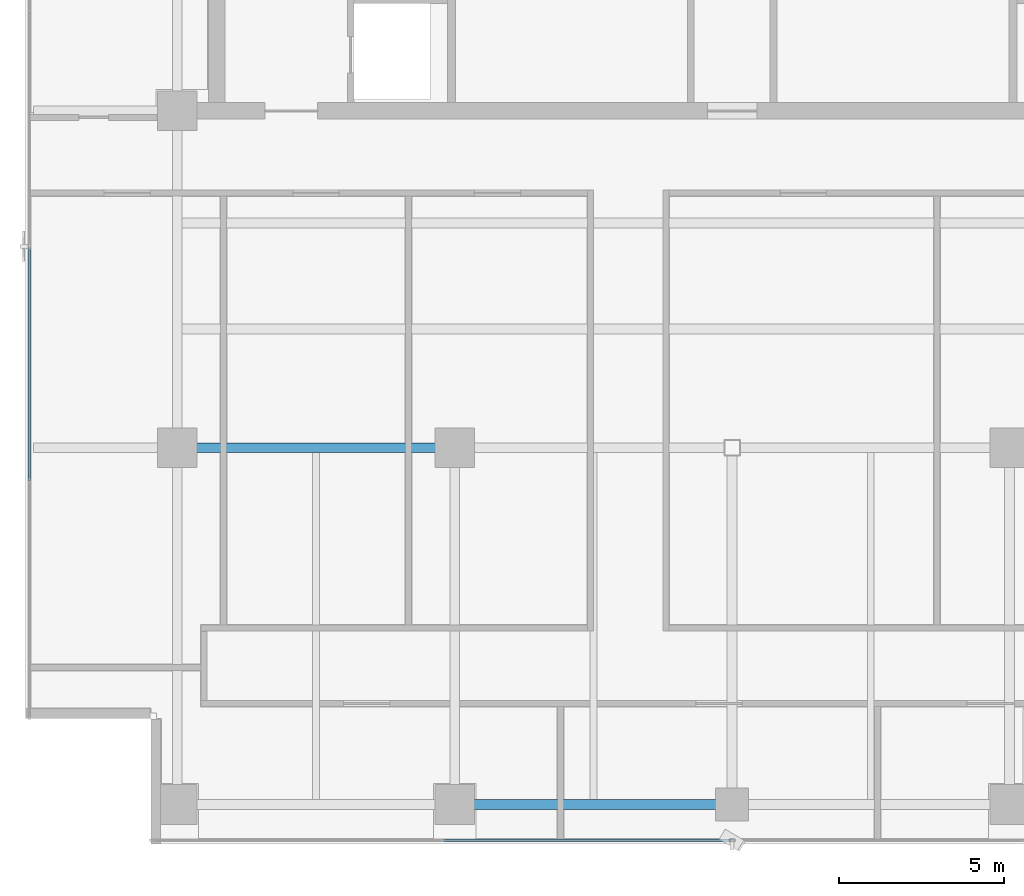
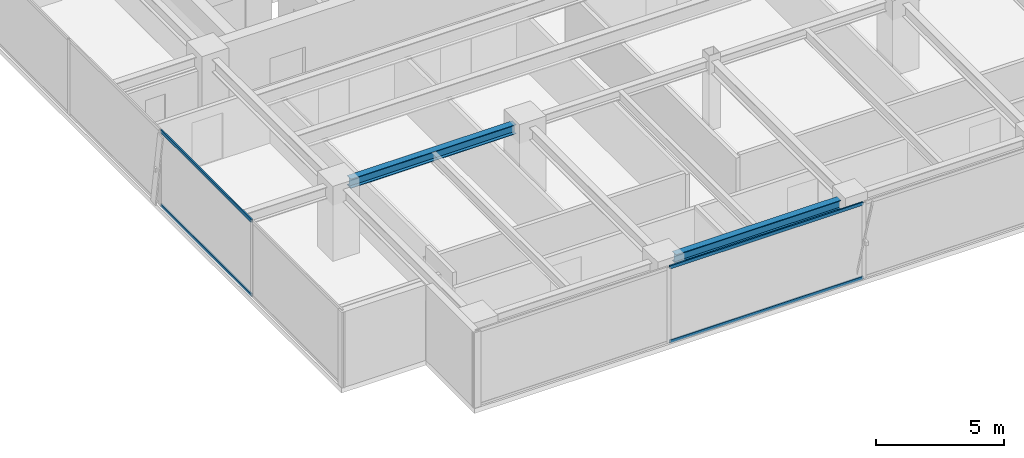
# One storey, part 3 of 21: 4 members, 2 beams, 2 elements without a shape of their own.
"""IFC4 building model written with IfcOpenShell, lengths in metres."""

from ifc_helpers import new_model, si_unit, direction, frame, origin, origin_2d, place, context, subcontext, project, spatial, hollow_rectangle, i_section, extrude, source, transform, mapped, material, layer, layer_set, material_profile, profile_set, type_object, element, aggregate, save


model = new_model("IFC4")

# Units and contexts
model_context = context("Model", 3, precision=1e-05, world=origin(), true_north=direction((0.0, 1.0)))
body_context = subcontext(model_context, "Body", "Model", "MODEL_VIEW")
ifc_project = project(units=[si_unit("LENGTHUNIT", "METRE"), si_unit("AREAUNIT", "SQUARE_METRE"), si_unit("VOLUMEUNIT", "CUBIC_METRE"), si_unit("PLANEANGLEUNIT", "RADIAN"), si_unit("MASSUNIT", "GRAM", prefix="KILO")], contexts=[model_context])

# Site, building, storey
site_placement = place(None, origin())
site = spatial("IfcSite", under=ifc_project, at=site_placement, CompositionType="ELEMENT")
building_placement = place(site_placement, origin())
building = spatial("IfcBuilding", under=site, at=building_placement, Name="Sumidabori Civic Tower", CompositionType="ELEMENT")
storey_placement = place(building_placement, frame((0.0, 0.0, 290.0)))
storey = spatial("IfcBuildingStorey", under=building, at=storey_placement, Name="L76", CompositionType="ELEMENT", Elevation=290.0)

# Beams
ifc_material_1 = material(Name="Steel SN490", Category="steel")
ifc_material_profile_1 = material_profile(ifc_material_1, i_section(OverallWidth=0.300048828125, OverallDepth=0.449951171875, WebThickness=0.013916015625, FlangeThickness=0.02587890625, at=origin_2d()), Name="HE 450 B")
ifc_profile_set_1 = profile_set([ifc_material_profile_1], Name="Steel SN490")
beam_type = type_object("IfcBeamType", Name="BM-GIRD-450", PredefinedType="BEAM", material=ifc_profile_set_1)
shared_shape_1 = source(origin(), body_context, "Body", "SweptSolid", [
    extrude(i_section(OverallWidth=0.300048828125, OverallDepth=0.449951171875, WebThickness=0.013916015625, FlangeThickness=0.02587890625, at=origin_2d()), origin(), (0.0, 0.0, 1.0), 7.440185546875),
])
beam_1_placement = place(storey_placement, frame((-16.320068359375, 0.0, 3.074951171875), z_axis=(1.0, 0.0, 0.0), x_axis=(0.0, 1.0, 0.0)))
element("IfcBeam", 1, at=beam_1_placement, inside=storey, type_object=beam_type, Name="Primary Girder L76 GX-05", PredefinedType="BEAM", context=body_context, shape_type="MappedRepresentation", body=[
    mapped(shared_shape_1, transform((0.0, 0.0, 0.0), x_axis=(1.0, 0.0, 0.0), y_axis=(0.0, 1.0, 0.0), z_axis=(0.0, 0.0, 1.0), scale=1.0)),
])
shared_shape_2 = source(origin(), body_context, "Body", "SweptSolid", [
    extrude(i_section(OverallWidth=0.300048828125, OverallDepth=0.449951171875, WebThickness=0.013916015625, FlangeThickness=0.02587890625, at=origin_2d()), origin(), (0.0, 0.0, 1.0), 7.43994140625),
])
beam_2_placement = place(storey_placement, frame((-7.919921875, -10.800048828125, 3.074951171875), z_axis=(1.0, 0.0, 0.0), x_axis=(0.0, 1.0, 0.0)))
element("IfcBeam", 2, at=beam_2_placement, inside=storey, type_object=beam_type, Name="Primary Girder L76 GX-02", PredefinedType="BEAM", context=body_context, shape_type="MappedRepresentation", body=[
    mapped(shared_shape_2, transform((0.0, 0.0, 0.0), x_axis=(1.0, 0.0, 0.0), y_axis=(0.0, 1.0, 0.0), z_axis=(0.0, 0.0, 1.0), scale=1.0)),
])

# Curtain wall, members
ifc_material_2 = material(Name="Anodised Bronze Aluminium AW-6063-T6", Category="aluminium")
ifc_layer = layer(ifc_material_2, 0.179931640625, Name="Anodised Bronze Aluminium AW-6063-T6")
ifc_layer_set = layer_set([ifc_layer], Name="Anodised Bronze Aluminium AW-6063-T6")
curtain_wall_type = type_object("IfcCurtainWallType", Name="CW-SYS-6", PredefinedType="NOTDEFINED", material=ifc_layer_set)
curtain_wall_1_placement = place(storey_placement, origin())
curtain_wall_1 = element("IfcCurtainWall", 3, at=curtain_wall_1_placement, inside=storey, type_object=curtain_wall_type, Name="Curtain Wall CW:L76:R01", PredefinedType="NOTDEFINED")
ifc_material_profile_2 = material_profile(ifc_material_2, hollow_rectangle(XDim=0.06494140625, YDim=0.14990234375, WallThickness=0.0048828125, at=origin_2d()), Name="ALU TRANSOM 150x65")
ifc_profile_set_2 = profile_set([ifc_material_profile_2], Name="Anodised Bronze Aluminium AW-6063-T6")
member_type = type_object("IfcMemberType", Name="CW-TRN-150", PredefinedType="USERDEFINED", material=ifc_profile_set_2)
shared_shape_3 = source(origin(), body_context, "Body", "SweptSolid", [
    extrude(hollow_rectangle(XDim=0.06494140625, YDim=0.14990234375, WallThickness=0.0048828125, at=origin_2d()), origin(), (0.0, 0.0, 1.0), 8.715087890625),
])
member_1_placement = place(storey_placement, frame((-8.75, -11.8798828125, 0.032470703125), z_axis=(1.0, 0.0, 0.0), x_axis=(0.0, 1.0, 0.0)))
member_1 = element("IfcMember", 4, at=member_1_placement, type_object=member_type, Name="CW-6 transom 2.1", ObjectType="TRANSOM", PredefinedType="USERDEFINED", context=body_context, shape_type="MappedRepresentation", body=[
    mapped(shared_shape_3, transform((0.0, 0.0, 0.0), x_axis=(1.0, 0.0, 0.0), y_axis=(0.0, 1.0, 0.0), z_axis=(0.0, 0.0, 1.0), scale=1.0)),
])
member_2_placement = place(storey_placement, frame((-8.75, -11.8798828125, 3.5673828125), z_axis=(1.0, 0.0, 0.0), x_axis=(0.0, 1.0, 0.0)))
member_2 = element("IfcMember", 5, at=member_2_placement, type_object=member_type, Name="CW-6 transom 2.2", ObjectType="TRANSOM", PredefinedType="USERDEFINED", context=body_context, shape_type="MappedRepresentation", body=[
    mapped(shared_shape_3, transform((0.0, 0.0, 0.0), x_axis=(1.0, 0.0, 0.0), y_axis=(0.0, 1.0, 0.0), z_axis=(0.0, 0.0, 1.0), scale=1.0)),
])
aggregate(curtain_wall_1, [member_1, member_2])

curtain_wall_2_placement = place(storey_placement, origin())
curtain_wall_2 = element("IfcCurtainWall", 6, at=curtain_wall_2_placement, inside=storey, type_object=curtain_wall_type, Name="Curtain Wall CW:L76:R10", PredefinedType="NOTDEFINED")
shared_shape_4 = source(origin(), body_context, "Body", "SweptSolid", [
    extrude(hollow_rectangle(XDim=0.06494140625, YDim=0.14990234375, WallThickness=0.0048828125, at=origin_2d()), origin(), (0.0, 0.0, 1.0), 7.06494140625),
])
member_3_placement = place(storey_placement, frame((-21.280029296875, 6.06494140625, 0.032470703125), z_axis=(0.0, -1.0, 0.0), x_axis=(1.0, 0.0, 0.0)))
member_3 = element("IfcMember", 7, at=member_3_placement, type_object=member_type, Name="CW-6 transom 3.1", ObjectType="TRANSOM", PredefinedType="USERDEFINED", context=body_context, shape_type="MappedRepresentation", body=[
    mapped(shared_shape_4, transform((0.0, 0.0, 0.0), x_axis=(1.0, 0.0, 0.0), y_axis=(0.0, 1.0, 0.0), z_axis=(0.0, 0.0, 1.0), scale=1.0)),
])
member_4_placement = place(storey_placement, frame((-21.280029296875, 6.06494140625, 3.5673828125), z_axis=(0.0, -1.0, 0.0), x_axis=(1.0, 0.0, 0.0)))
member_4 = element("IfcMember", 8, at=member_4_placement, type_object=member_type, Name="CW-6 transom 3.2", ObjectType="TRANSOM", PredefinedType="USERDEFINED", context=body_context, shape_type="MappedRepresentation", body=[
    mapped(shared_shape_4, transform((0.0, 0.0, 0.0), x_axis=(1.0, 0.0, 0.0), y_axis=(0.0, 1.0, 0.0), z_axis=(0.0, 0.0, 1.0), scale=1.0)),
])
aggregate(curtain_wall_2, [member_3, member_4])

save(model, "model.ifc")
